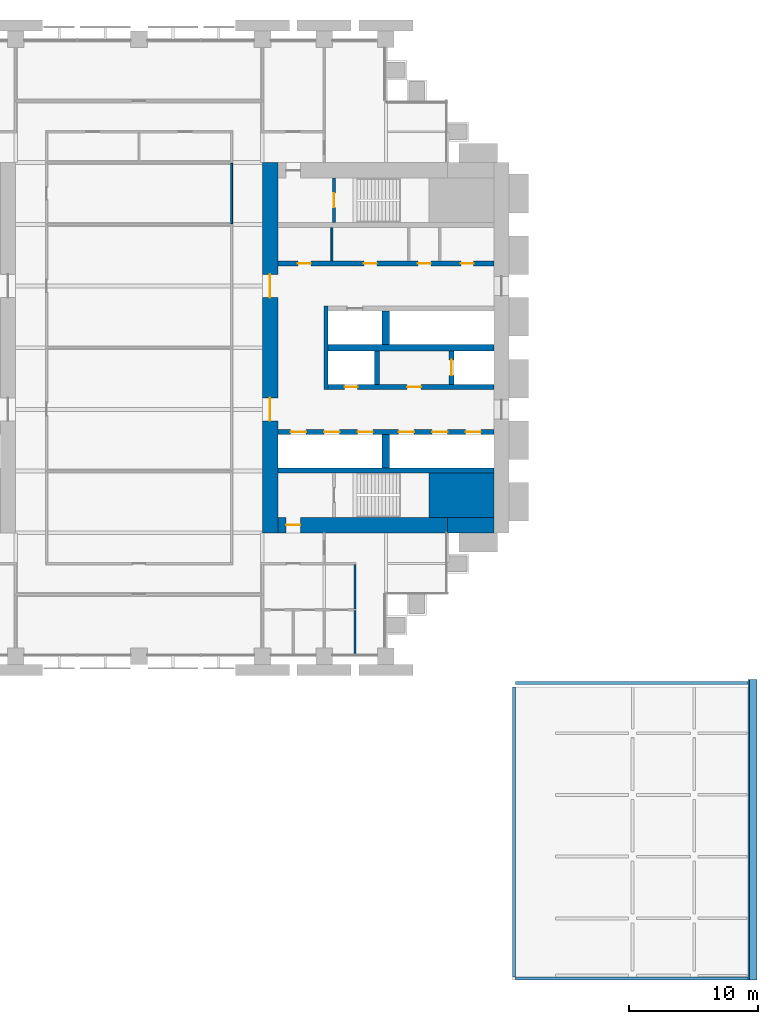
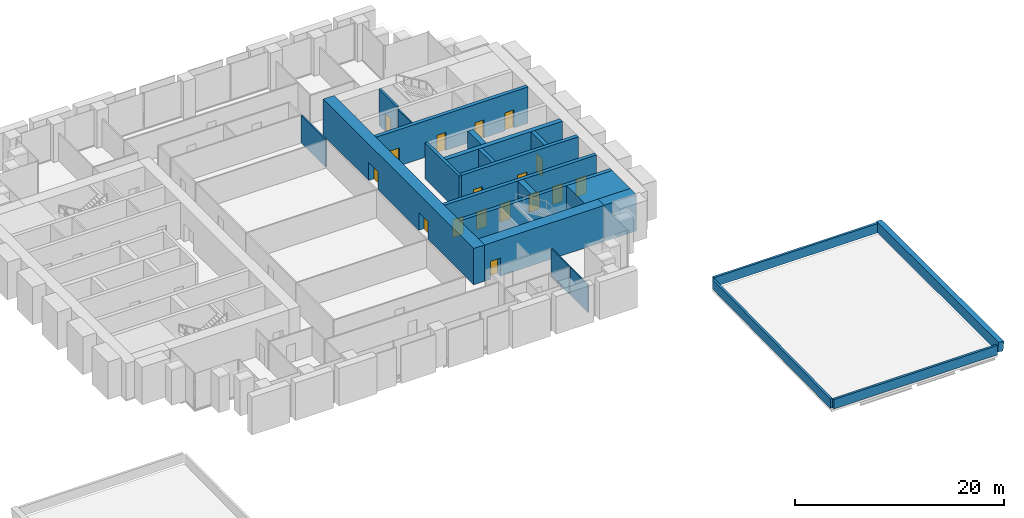
# One storey, part 11 of 14: 23 walls, 17 doors, 17 openings.
"""IFC4 building model written with IfcOpenShell, lengths in metres."""

from ifc_helpers import new_model, si_unit, direction, frame, frame_2d, origin, place, context, subcontext, project, spatial, polyline, rectangle, outline, extrude, material, layer, layer_set, type_object, element, fill, save


model = new_model("IFC4")

# Units and contexts
model_context = context("Model", 3, precision=1e-05, world=origin(), true_north=direction((0.0, 1.0)))
body_context = subcontext(model_context, "Body", "Model", "MODEL_VIEW")
ifc_project = project(units=[si_unit("LENGTHUNIT", "METRE"), si_unit("AREAUNIT", "SQUARE_METRE"), si_unit("VOLUMEUNIT", "CUBIC_METRE"), si_unit("PLANEANGLEUNIT", "RADIAN"), si_unit("MASSUNIT", "GRAM", prefix="KILO")], contexts=[model_context])

# Site, building, storey
site_placement = place(None, origin())
site = spatial("IfcSite", under=ifc_project, at=site_placement, CompositionType="ELEMENT")
building_placement = place(site_placement, origin())
building = spatial("IfcBuilding", under=site, at=building_placement, Name="Baori Bourse Tower", CompositionType="ELEMENT")
storey_placement = place(building_placement, frame((0.0, 0.0, 30.199951171875)))
storey = spatial("IfcBuildingStorey", under=building, at=storey_placement, Name="L05", CompositionType="ELEMENT", Elevation=30.199951171875)

# Walls
ifc_material_1 = material(Name="Concrete f'c 70 MPa", Category="concrete")
wall_type_1 = type_object("IfcWallType", Name="Core corner block f'c 70", PredefinedType="SHEAR", material=ifc_material_1)
wall_1_placement = place(storey_placement, frame((51.35009765625, 12.52490234375, 0.0), z_axis=(0.0, 0.0, 1.0), x_axis=(1.0, 0.0, 0.0)))
element("IfcWall", 1, at=wall_1_placement, inside=storey, type_object=wall_type_1, Name="Core wall E05", PredefinedType="SHEAR", context=body_context, shape_type="SweptSolid", body=[
    extrude(rectangle(XDim=5.0498046875, YDim=3.449951171875, at=frame_2d((2.52490234375, 0.0))), origin(), (0.0, 0.0, 1.0), 4.239990234375),
])
ifc_material_2 = material(Name="Blockwork partition", Category="masonry")
ifc_layer_1 = layer(ifc_material_2, 0.14990234375)
ifc_layer_set_1 = layer_set([ifc_layer_1], Name="Core partition 150")
wall_type_2 = type_object("IfcWallType", Name="Core partition 150", PredefinedType="PARTITIONING", material=ifc_layer_set_1)
wall_2_placement = place(storey_placement, frame((43.800048828125, 30.75, 0.0), z_axis=(0.0, 0.0, 1.0), x_axis=(0.0, 1.0, 0.0)))
element("IfcWall", 2, at=wall_2_placement, inside=storey, type_object=wall_type_2, Name="Partition wall E20", PredefinedType="PARTITIONING", context=body_context, shape_type="SweptSolid", body=[
    extrude(rectangle(XDim=2.60009765625, YDim=0.14990234375, at=frame_2d((1.300048828125, 0.0))), origin(), (0.0, 0.0, 1.0), 4.239990234375),
])
ifc_material_3 = material(Name="Concrete f'c 70 MPa", Category="concrete")
ifc_layer_2 = layer(ifc_material_3, 1.199951171875)
ifc_layer_set_2 = layer_set([ifc_layer_2], Name="Core wall 1200 f'c 70")
wall_type_3 = type_object("IfcWallType", Name="Core wall 1200 f'c 70", PredefinedType="SHEAR", material=ifc_layer_set_2)
wall_3_placement = place(storey_placement, frame((56.39990234375, 10.199951171875, 0.0), z_axis=(0.0, 0.0, 1.0), x_axis=(-1.0, 0.0, 0.0)))
element("IfcWall", 3, at=wall_3_placement, inside=storey, type_object=wall_type_3, Name="Core wall E02", PredefinedType="SHEAR", context=body_context, shape_type="SweptSolid", body=[
    extrude(rectangle(XDim=3.599853515625, YDim=1.199951171875, at=frame_2d((1.7998046875, 0.0))), origin(), (0.0, 0.0, 1.0), 4.239990234375),
])

# Wall, opening, door
wall_4_placement = place(storey_placement, frame((52.800048828125, 10.199951171875, 0.0), z_axis=(0.0, 0.0, 1.0), x_axis=(-1.0, 0.0, 0.0)))
wall_4 = element("IfcWall", 4, at=wall_4_placement, inside=storey, type_object=wall_type_3, Name="Core wall E03", PredefinedType="SHEAR", context=body_context, shape_type="SweptSolid", body=[
    extrude(rectangle(XDim=13.199951171875, YDim=1.199951171875, at=frame_2d((6.60009765625, 0.0))), origin(), (0.0, 0.0, 1.0), 4.239990234375),
])
opening_1_placement = place(wall_4_placement, frame((11.449951171875, 0.0, 0.0)))
opening_1 = element("IfcOpeningElement", 5, at=opening_1_placement, cuts=wall_4, Name="Opening L05-D202", PredefinedType="OPENING", context=body_context, shape_type="SweptSolid", body=[
    extrude(rectangle(XDim=1.10009765625, YDim=2.10009765625, at=frame_2d((0.550048828125, 1.050048828125))), frame((0.0, 0.60986328125, 0.0), z_axis=(0.0, -1.0, 0.0), x_axis=(1.0, 0.0, 0.0)), (0.0, 0.0, 1.0), 1.219970703125),
])
ifc_material_4 = material(Name="Painted steel door", Category="steel")
door_type_1 = type_object("IfcDoorType", Name="Stair door 1100", OperationType="SINGLE_SWING_LEFT", PredefinedType="DOOR", material=ifc_material_4)
door_1_placement = place(opening_1_placement, origin())
door_1 = element("IfcDoor", 6, at=door_1_placement, inside=storey, type_object=door_type_1, Name="Stair vestibule door A E L05", OperationType="SINGLE_SWING_LEFT", OverallHeight=2.10009765625, OverallWidth=1.10009765625, PredefinedType="DOOR", context=body_context, shape_type="SweptSolid", body=[
    extrude(rectangle(XDim=1.10009765625, YDim=2.10009765625, at=frame_2d((0.550048828125, 1.050048828125))), frame((0.0, 0.02490234375, 0.0), z_axis=(0.0, -1.0, 0.0), x_axis=(1.0, 0.0, 0.0)), (0.0, 0.0, 1.0), 0.050048828125),
])
fill(opening_1, door_1)

# Wall, openings, doors
wall_5_placement = place(storey_placement, frame((39.0, 9.60009765625, 0.0), z_axis=(0.0, 0.0, 1.0), x_axis=(0.0, 1.0, 0.0)))
wall_5 = element("IfcWall", 7, at=wall_5_placement, inside=storey, type_object=wall_type_3, Name="Core wall E04", PredefinedType="SHEAR", context=body_context, shape_type="SweptSolid", body=[
    extrude(rectangle(XDim=28.7998046875, YDim=1.199951171875, at=frame_2d((14.39990234375, 0.0))), origin(), (0.0, 0.0, 1.0), 4.239990234375),
])
opening_2_placement = place(wall_5_placement, frame((8.699951171875, 0.0, 0.0)))
opening_2 = element("IfcOpeningElement", 8, at=opening_2_placement, cuts=wall_5, Name="Opening L05-D207", PredefinedType="OPENING", context=body_context, shape_type="SweptSolid", body=[
    extrude(rectangle(XDim=1.800048828125, YDim=2.10009765625, at=frame_2d((0.89990234375, 1.050048828125))), frame((0.0, 0.60986328125, 0.0), z_axis=(0.0, -1.0, 0.0), x_axis=(1.0, 0.0, 0.0)), (0.0, 0.0, 1.0), 1.219970703125),
])
opening_3_placement = place(wall_5_placement, frame((18.300048828125, 0.0, 0.0)))
opening_3 = element("IfcOpeningElement", 9, at=opening_3_placement, cuts=wall_5, Name="Opening L05-D208", PredefinedType="OPENING", context=body_context, shape_type="SweptSolid", body=[
    extrude(rectangle(XDim=1.800048828125, YDim=2.10009765625, at=frame_2d((0.89990234375, 1.050048828125))), frame((0.0, 0.60986328125, 0.0), z_axis=(0.0, -1.0, 0.0), x_axis=(1.0, 0.0, 0.0)), (0.0, 0.0, 1.0), 1.219970703125),
])
ifc_material_5 = material(Name="Painted steel door", Category="steel")
door_type_2 = type_object("IfcDoorType", Name="Core lobby door 1800", OperationType="DOUBLE_DOOR_SINGLE_SWING", PredefinedType="DOOR", material=ifc_material_5)
door_2_placement = place(opening_2_placement, origin())
door_2 = element("IfcDoor", 10, at=door_2_placement, inside=storey, type_object=door_type_2, Name="Lobby door E L05", OperationType="DOUBLE_DOOR_SINGLE_SWING", OverallHeight=2.10009765625, OverallWidth=1.800048828125, PredefinedType="DOOR", context=body_context, shape_type="SweptSolid", body=[
    extrude(rectangle(XDim=1.800048828125, YDim=2.10009765625, at=frame_2d((0.89990234375, 1.050048828125))), frame((0.0, 0.02490234375, 0.0), z_axis=(0.0, -1.0, 0.0), x_axis=(1.0, 0.0, 0.0)), (0.0, 0.0, 1.0), 0.050048828125),
])
fill(opening_2, door_2)
door_3_placement = place(opening_3_placement, origin())
door_3 = element("IfcDoor", 11, at=door_3_placement, inside=storey, type_object=door_type_2, Name="Lobby door E L05", OperationType="DOUBLE_DOOR_SINGLE_SWING", OverallHeight=2.10009765625, OverallWidth=1.800048828125, PredefinedType="DOOR", context=body_context, shape_type="SweptSolid", body=[
    extrude(rectangle(XDim=1.800048828125, YDim=2.10009765625, at=frame_2d((0.89990234375, 1.050048828125))), frame((0.0, 0.02490234375, 0.0), z_axis=(0.0, -1.0, 0.0), x_axis=(1.0, 0.0, 0.0)), (0.0, 0.0, 1.0), 0.050048828125),
])
fill(opening_3, door_3)

# Walls
ifc_material_6 = material(Name="Gypsum board partition")
ifc_layer_3 = layer(ifc_material_6, 0.14990234375)
ifc_layer_set_3 = layer_set([ifc_layer_3], Name="Corridor partition 150")
wall_type_4 = type_object("IfcWallType", Name="Corridor partition 150", PredefinedType="PARTITIONING", material=ifc_layer_set_3)
wall_6_placement = place(storey_placement, frame((36.0, 33.66259765625, 0.0), z_axis=(0.0, 0.0, 1.0), x_axis=(0.0, 1.0, 0.0)))
element("IfcWall", 12, at=wall_6_placement, inside=storey, type_object=wall_type_4, Name="Partition", PredefinedType="PARTITIONING", context=body_context, shape_type="SweptSolid", body=[
    extrude(rectangle(XDim=4.6748046875, YDim=0.14990234375, at=frame_2d((2.33740234375, 0.0))), origin(), (0.0, 0.0, 1.0), 3.24951171875),
])
wall_7_placement = place(storey_placement, frame((45.60009765625, 3.675048828125, 0.0), z_axis=(0.0, 0.0, 1.0), x_axis=(0.0, 1.0, 0.0)))
element("IfcWall", 13, at=wall_7_placement, inside=storey, type_object=wall_type_4, Name="Partition", PredefinedType="PARTITIONING", context=body_context, shape_type="SweptSolid", body=[
    extrude(rectangle(XDim=3.449951171875, YDim=0.14990234375, at=frame_2d((1.72509765625, 0.0))), origin(), (0.0, 0.0, 1.0), 3.24951171875),
])
ifc_material_7 = material(Name="Concrete f'c 50 MPa", Category="concrete")
ifc_layer_4 = layer(ifc_material_7, 0.60009765625)
ifc_layer_set_4 = layer_set([ifc_layer_4], Name="Leaning end wall 600")
wall_type_5 = type_object("IfcWallType", Name="Leaning end wall 600", PredefinedType="SOLIDWALL", material=ifc_layer_set_4)
wall_8_placement = place(storey_placement, frame((76.197265625, -25.199951171875, 0.0), z_axis=(-0.995393636341, 0.0, 0.095872356452), x_axis=(0.0, 1.0, 0.0)))
element("IfcWall", 14, at=wall_8_placement, inside=storey, type_object=wall_type_5, Name="wing/L05/Eleanparapet/001", PredefinedType="SOLIDWALL", context=body_context, shape_type="SweptSolid", body=[
    extrude(outline(polyline([(0.0, 0.0), (23.39990234375, 0.0), (23.39990234375, -1.105188556653595), (0.0, -1.105188556653595), (0.0, 0.0)])), origin(), (0.0, 0.0, -1.0), 0.60009765625),
])
ifc_material_8 = material(Name="Concrete f'c 40 MPa", Category="concrete")
ifc_layer_5 = layer(ifc_material_8, 0.25)
ifc_layer_set_5 = layer_set([ifc_layer_5], Name="Parapet wall 250")
wall_type_6 = type_object("IfcWallType", Name="Parapet wall 250", PredefinedType="SOLIDWALL", material=ifc_layer_set_5)
for number, where, z_axis, x_axis, name in (
    (15, (58.10009765625, -2.10009765625, 0.00390625), (0.0, 0.0, 1.0), (1.0, 0.0, 0.0), "wing/L05/Eparapet/001"),
    (16, (58.10009765625, -25.074951171875, -0.29833984375), (0.0, 0.0, 1.0), (1.0, 0.0, 0.0), "wing/L05/Eparapet/002"),
):
    element("IfcWall", number, at=place(storey_placement, frame(where, z_axis=z_axis, x_axis=x_axis)), inside=storey, type_object=wall_type_6, Name=name, PredefinedType="SOLIDWALL", context=body_context, shape_type="SweptSolid", body=[
        extrude(rectangle(XDim=18.09716796875, YDim=0.25, at=frame_2d((9.048583984375, 0.0))), origin(), (0.0, 0.0, 1.0), 1.10009765625),
    ])
wall_9_placement = place(storey_placement, frame((57.85009765625, -24.949951171875, 0.80322265625), z_axis=(-1.0, 0.0, 0.0), x_axis=(0.0, 0.999913350545, 0.013164019209)))
element("IfcWall", 17, at=wall_9_placement, inside=storey, type_object=wall_type_6, Name="wing/L05/Eparapet/003", PredefinedType="SOLIDWALL", context=body_context, shape_type="SweptSolid", body=[
    extrude(outline(polyline([(0.0, 0.0), (22.552002946888038, -5.551115123125783e-17), (22.537521240209106, 1.100002333387711), (-0.014478492807053682, 1.099758213917363), (0.0, 0.0)])), origin(), (0.0, 0.0, -1.0), 0.25),
])
ifc_material_9 = material(Name="Gypsum board partition")
ifc_layer_6 = layer(ifc_material_9, 0.125)
ifc_layer_set_6 = layer_set([ifc_layer_6], Name="Partition 125")
wall_type_7 = type_object("IfcWallType", Name="Partition 125", PredefinedType="PARTITIONING", material=ifc_layer_set_6)
wall_10_placement = place(storey_placement, frame((45.60009765625, 0.10009765625, 0.0), z_axis=(0.0, 0.0, 1.0), x_axis=(0.0, 1.0, 0.0)))
element("IfcWall", 18, at=wall_10_placement, inside=storey, type_object=wall_type_7, Name="Partition", PredefinedType="PARTITIONING", context=body_context, shape_type="SweptSolid", body=[
    extrude(rectangle(XDim=3.4248046875, YDim=0.125, at=frame_2d((1.71240234375, 0.0))), origin(), (0.0, 0.0, 1.0), 3.24951171875),
])

# Wall, opening, door
ifc_material_10 = material(Name="Concrete f'c 70 MPa", Category="concrete")
ifc_layer_7 = layer(ifc_material_10, 0.25)
ifc_layer_set_7 = layer_set([ifc_layer_7], Name="Shaft wall 250 f'c 70")
wall_type_8 = type_object("IfcWallType", Name="Shaft wall 250 f'c 70", PredefinedType="SHEAR", material=ifc_layer_set_7)
wall_11_placement = place(storey_placement, frame((43.97509765625, 33.75, 0.0), z_axis=(0.0, 0.0, 1.0), x_axis=(0.0, 1.0, 0.0)))
wall_11 = element("IfcWall", 19, at=wall_11_placement, inside=storey, type_object=wall_type_8, Name="Core wall E23", PredefinedType="SHEAR", context=body_context, shape_type="SweptSolid", body=[
    extrude(rectangle(XDim=3.449951171875, YDim=0.25, at=frame_2d((1.72509765625, 0.0))), origin(), (0.0, 0.0, 1.0), 4.239990234375),
])
opening_4_placement = place(wall_11_placement, frame((1.175048828125, 0.0, 0.0)))
opening_4 = element("IfcOpeningElement", 20, at=opening_4_placement, cuts=wall_11, Name="Opening L05-D203", PredefinedType="OPENING", context=body_context, shape_type="SweptSolid", body=[
    extrude(rectangle(XDim=1.10009765625, YDim=2.10009765625, at=frame_2d((0.550048828125, 1.050048828125))), frame((0.0, 0.135009765625, 0.0), z_axis=(0.0, -1.0, 0.0), x_axis=(1.0, 0.0, 0.0)), (0.0, 0.0, 1.0), 0.27001953125),
])
door_4_placement = place(opening_4_placement, origin())
door_4 = element("IfcDoor", 21, at=door_4_placement, inside=storey, type_object=door_type_1, Name="Stair door B E L05", OperationType="SINGLE_SWING_LEFT", OverallHeight=2.10009765625, OverallWidth=1.10009765625, PredefinedType="DOOR", context=body_context, shape_type="SweptSolid", body=[
    extrude(rectangle(XDim=1.10009765625, YDim=2.10009765625, at=frame_2d((0.550048828125, 1.050048828125))), frame((0.0, 0.02490234375, 0.0), z_axis=(0.0, -1.0, 0.0), x_axis=(1.0, 0.0, 0.0)), (0.0, 0.0, 1.0), 0.050048828125),
])
fill(opening_4, door_4)

# Walls
ifc_material_11 = material(Name="Concrete f'c 70 MPa", Category="concrete")
ifc_layer_8 = layer(ifc_material_11, 0.300048828125)
ifc_layer_set_8 = layer_set([ifc_layer_8], Name="Shaft wall 300 f'c 70")
wall_type_9 = type_object("IfcWallType", Name="Shaft wall 300 f'c 70", PredefinedType="SHEAR", material=ifc_layer_set_8)
wall_12_placement = place(storey_placement, frame((43.35009765625, 20.75, 0.0), z_axis=(0.0, 0.0, 1.0), x_axis=(0.0, 1.0, 0.0)))
element("IfcWall", 22, at=wall_12_placement, inside=storey, type_object=wall_type_9, Name="Core wall E11", PredefinedType="SHEAR", context=body_context, shape_type="SweptSolid", body=[
    extrude(rectangle(XDim=6.5, YDim=0.300048828125, at=frame_2d((3.25, 0.0))), origin(), (0.0, 0.0, 1.0), 4.239990234375),
])
ifc_material_12 = material(Name="Concrete f'c 70 MPa", Category="concrete")
ifc_layer_9 = layer(ifc_material_12, 0.39990234375)
ifc_layer_set_9 = layer_set([ifc_layer_9], Name="Shaft wall 400 f'c 70")
wall_type_10 = type_object("IfcWallType", Name="Shaft wall 400 f'c 70", PredefinedType="SHEAR", material=ifc_layer_set_9)
wall_13_placement = place(storey_placement, frame((39.60009765625, 14.449951171875, 0.0), z_axis=(0.0, 0.0, 1.0), x_axis=(1.0, 0.0, 0.0)))
element("IfcWall", 23, at=wall_13_placement, inside=storey, type_object=wall_type_10, Name="Core wall E07", PredefinedType="SHEAR", context=body_context, shape_type="SweptSolid", body=[
    extrude(rectangle(XDim=16.7998046875, YDim=0.39990234375, at=frame_2d((8.39990234375, 0.0))), origin(), (0.0, 0.0, 1.0), 4.239990234375),
])

# Wall, openings, doors
wall_14_placement = place(storey_placement, frame((39.60009765625, 17.449951171875, 0.0), z_axis=(0.0, 0.0, 1.0), x_axis=(1.0, 0.0, 0.0)))
wall_14 = element("IfcWall", 24, at=wall_14_placement, inside=storey, type_object=wall_type_10, Name="Core wall E09", PredefinedType="SHEAR", context=body_context, shape_type="SweptSolid", body=[
    extrude(rectangle(XDim=16.7998046875, YDim=0.39990234375, at=frame_2d((8.39990234375, 0.0))), origin(), (0.0, 0.0, 1.0), 4.239990234375),
])
opening_5_placement = place(wall_14_placement, frame((14.60009765625, 0.0, 0.0)))
opening_5 = element("IfcOpeningElement", 25, at=opening_5_placement, cuts=wall_14, Name="Opening L05-D213", PredefinedType="OPENING", context=body_context, shape_type="SweptSolid", body=[
    extrude(rectangle(XDim=1.199951171875, YDim=2.10009765625, at=frame_2d((0.60009765625, 1.050048828125))), frame((0.0, 0.2099609375, 0.0), z_axis=(0.0, -1.0, 0.0), x_axis=(1.0, 0.0, 0.0)), (0.0, 0.0, 1.0), 0.419921875),
])
opening_6_placement = place(wall_14_placement, frame((12.0, 0.0, 0.0)))
opening_6 = element("IfcOpeningElement", 26, at=opening_6_placement, cuts=wall_14, Name="Opening L05-D214", PredefinedType="OPENING", context=body_context, shape_type="SweptSolid", body=[
    extrude(rectangle(XDim=1.199951171875, YDim=2.10009765625, at=frame_2d((0.60009765625, 1.050048828125))), frame((0.0, 0.2099609375, 0.0), z_axis=(0.0, -1.0, 0.0), x_axis=(1.0, 0.0, 0.0)), (0.0, 0.0, 1.0), 0.419921875),
])
opening_7_placement = place(wall_14_placement, frame((9.39990234375, 0.0, 0.0)))
opening_7 = element("IfcOpeningElement", 27, at=opening_7_placement, cuts=wall_14, Name="Opening L05-D215", PredefinedType="OPENING", context=body_context, shape_type="SweptSolid", body=[
    extrude(rectangle(XDim=1.199951171875, YDim=2.10009765625, at=frame_2d((0.60009765625, 1.050048828125))), frame((0.0, 0.2099609375, 0.0), z_axis=(0.0, -1.0, 0.0), x_axis=(1.0, 0.0, 0.0)), (0.0, 0.0, 1.0), 0.419921875),
])
opening_8_placement = place(wall_14_placement, frame((6.199951171875, 0.0, 0.0)))
opening_8 = element("IfcOpeningElement", 28, at=opening_8_placement, cuts=wall_14, Name="Opening L05-D216", PredefinedType="OPENING", context=body_context, shape_type="SweptSolid", body=[
    extrude(rectangle(XDim=1.199951171875, YDim=2.10009765625, at=frame_2d((0.60009765625, 1.050048828125))), frame((0.0, 0.2099609375, 0.0), z_axis=(0.0, -1.0, 0.0), x_axis=(1.0, 0.0, 0.0)), (0.0, 0.0, 1.0), 0.419921875),
])
opening_9_placement = place(wall_14_placement, frame((3.60009765625, 0.0, 0.0)))
opening_9 = element("IfcOpeningElement", 29, at=opening_9_placement, cuts=wall_14, Name="Opening L05-D217", PredefinedType="OPENING", context=body_context, shape_type="SweptSolid", body=[
    extrude(rectangle(XDim=1.199951171875, YDim=2.10009765625, at=frame_2d((0.60009765625, 1.050048828125))), frame((0.0, 0.2099609375, 0.0), z_axis=(0.0, -1.0, 0.0), x_axis=(1.0, 0.0, 0.0)), (0.0, 0.0, 1.0), 0.419921875),
])
opening_10_placement = place(wall_14_placement, frame((1.0, 0.0, 0.0)))
opening_10 = element("IfcOpeningElement", 30, at=opening_10_placement, cuts=wall_14, Name="Opening L05-D218", PredefinedType="OPENING", context=body_context, shape_type="SweptSolid", body=[
    extrude(rectangle(XDim=1.199951171875, YDim=2.10009765625, at=frame_2d((0.60009765625, 1.050048828125))), frame((0.0, 0.2099609375, 0.0), z_axis=(0.0, -1.0, 0.0), x_axis=(1.0, 0.0, 0.0)), (0.0, 0.0, 1.0), 0.419921875),
])
ifc_material_13 = material(Name="Stainless steel door", Category="steel")
door_type_3 = type_object("IfcDoorType", Name="Lift landing door", OperationType="DOUBLE_DOOR_SLIDING", PredefinedType="DOOR", material=ifc_material_13)
door_5_placement = place(opening_5_placement, origin())
door_5 = element("IfcDoor", 31, at=door_5_placement, inside=storey, type_object=door_type_3, Name="Lift landing door LR1 E L05", OperationType="DOUBLE_DOOR_SLIDING", OverallHeight=2.10009765625, OverallWidth=1.199951171875, PredefinedType="DOOR", context=body_context, shape_type="SweptSolid", body=[
    extrude(rectangle(XDim=1.199951171875, YDim=2.10009765625, at=frame_2d((0.60009765625, 1.050048828125))), frame((0.0, 0.02490234375, 0.0), z_axis=(0.0, -1.0, 0.0), x_axis=(1.0, 0.0, 0.0)), (0.0, 0.0, 1.0), 0.050048828125),
])
fill(opening_5, door_5)
door_6_placement = place(opening_6_placement, origin())
door_6 = element("IfcDoor", 32, at=door_6_placement, inside=storey, type_object=door_type_3, Name="Lift landing door LR2 E L05", OperationType="DOUBLE_DOOR_SLIDING", OverallHeight=2.10009765625, OverallWidth=1.199951171875, PredefinedType="DOOR", context=body_context, shape_type="SweptSolid", body=[
    extrude(rectangle(XDim=1.199951171875, YDim=2.10009765625, at=frame_2d((0.60009765625, 1.050048828125))), frame((0.0, 0.02490234375, 0.0), z_axis=(0.0, -1.0, 0.0), x_axis=(1.0, 0.0, 0.0)), (0.0, 0.0, 1.0), 0.050048828125),
])
fill(opening_6, door_6)
door_7_placement = place(opening_7_placement, origin())
door_7 = element("IfcDoor", 33, at=door_7_placement, inside=storey, type_object=door_type_3, Name="Lift landing door LR3 E L05", OperationType="DOUBLE_DOOR_SLIDING", OverallHeight=2.10009765625, OverallWidth=1.199951171875, PredefinedType="DOOR", context=body_context, shape_type="SweptSolid", body=[
    extrude(rectangle(XDim=1.199951171875, YDim=2.10009765625, at=frame_2d((0.60009765625, 1.050048828125))), frame((0.0, 0.02490234375, 0.0), z_axis=(0.0, -1.0, 0.0), x_axis=(1.0, 0.0, 0.0)), (0.0, 0.0, 1.0), 0.050048828125),
])
fill(opening_7, door_7)
door_8_placement = place(opening_8_placement, origin())
door_8 = element("IfcDoor", 34, at=door_8_placement, inside=storey, type_object=door_type_3, Name="Lift landing door LR4 E L05", OperationType="DOUBLE_DOOR_SLIDING", OverallHeight=2.10009765625, OverallWidth=1.199951171875, PredefinedType="DOOR", context=body_context, shape_type="SweptSolid", body=[
    extrude(rectangle(XDim=1.199951171875, YDim=2.10009765625, at=frame_2d((0.60009765625, 1.050048828125))), frame((0.0, 0.02490234375, 0.0), z_axis=(0.0, -1.0, 0.0), x_axis=(1.0, 0.0, 0.0)), (0.0, 0.0, 1.0), 0.050048828125),
])
fill(opening_8, door_8)
door_9_placement = place(opening_9_placement, origin())
door_9 = element("IfcDoor", 35, at=door_9_placement, inside=storey, type_object=door_type_3, Name="Lift landing door LR5 E L05", OperationType="DOUBLE_DOOR_SLIDING", OverallHeight=2.10009765625, OverallWidth=1.199951171875, PredefinedType="DOOR", context=body_context, shape_type="SweptSolid", body=[
    extrude(rectangle(XDim=1.199951171875, YDim=2.10009765625, at=frame_2d((0.60009765625, 1.050048828125))), frame((0.0, 0.02490234375, 0.0), z_axis=(0.0, -1.0, 0.0), x_axis=(1.0, 0.0, 0.0)), (0.0, 0.0, 1.0), 0.050048828125),
])
fill(opening_9, door_9)
door_10_placement = place(opening_10_placement, origin())
door_10 = element("IfcDoor", 36, at=door_10_placement, inside=storey, type_object=door_type_3, Name="Lift landing door LR6 E L05", OperationType="DOUBLE_DOOR_SLIDING", OverallHeight=2.10009765625, OverallWidth=1.199951171875, PredefinedType="DOOR", context=body_context, shape_type="SweptSolid", body=[
    extrude(rectangle(XDim=1.199951171875, YDim=2.10009765625, at=frame_2d((0.60009765625, 1.050048828125))), frame((0.0, 0.02490234375, 0.0), z_axis=(0.0, -1.0, 0.0), x_axis=(1.0, 0.0, 0.0)), (0.0, 0.0, 1.0), 0.050048828125),
])
fill(opening_10, door_10)

wall_15_placement = place(storey_placement, frame((43.5, 20.949951171875, 0.0), z_axis=(0.0, 0.0, 1.0), x_axis=(1.0, 0.0, 0.0)))
wall_15 = element("IfcWall", 37, at=wall_15_placement, inside=storey, type_object=wall_type_10, Name="Core wall E10", PredefinedType="SHEAR", context=body_context, shape_type="SweptSolid", body=[
    extrude(rectangle(XDim=12.89990234375, YDim=0.39990234375, at=frame_2d((6.449951171875, 0.0))), origin(), (0.0, 0.0, 1.0), 4.239990234375),
])
opening_11_placement = place(wall_15_placement, frame((6.14990234375, 0.0, 0.0)))
opening_11 = element("IfcOpeningElement", 38, at=opening_11_placement, cuts=wall_15, Name="Opening L05-D205", PredefinedType="OPENING", context=body_context, shape_type="SweptSolid", body=[
    extrude(rectangle(XDim=1.10009765625, YDim=2.10009765625, at=frame_2d((0.550048828125, 1.050048828125))), frame((0.0, 0.2099609375, 0.0), z_axis=(0.0, -1.0, 0.0), x_axis=(1.0, 0.0, 0.0)), (0.0, 0.0, 1.0), 0.419921875),
])
opening_12_placement = place(wall_15_placement, frame((1.300048828125, 0.0, 0.0)))
opening_12 = element("IfcOpeningElement", 39, at=opening_12_placement, cuts=wall_15, Name="Opening L05-D206", PredefinedType="OPENING", context=body_context, shape_type="SweptSolid", body=[
    extrude(rectangle(XDim=1.0, YDim=2.10009765625, at=frame_2d((0.5, 1.050048828125))), frame((0.0, 0.2099609375, 0.0), z_axis=(0.0, -1.0, 0.0), x_axis=(1.0, 0.0, 0.0)), (0.0, 0.0, 1.0), 0.419921875),
])
ifc_material_14 = material(Name="Painted steel door", Category="steel")
door_type_4 = type_object("IfcDoorType", Name="Lobby door 1100", OperationType="SINGLE_SWING_LEFT", PredefinedType="DOOR", material=ifc_material_14)
door_11_placement = place(opening_11_placement, origin())
door_11 = element("IfcDoor", 40, at=door_11_placement, inside=storey, type_object=door_type_4, Name="Firefighting lobby door E L05", OperationType="SINGLE_SWING_LEFT", OverallHeight=2.10009765625, OverallWidth=1.10009765625, PredefinedType="DOOR", context=body_context, shape_type="SweptSolid", body=[
    extrude(rectangle(XDim=1.10009765625, YDim=2.10009765625, at=frame_2d((0.550048828125, 1.050048828125))), frame((0.0, 0.02490234375, 0.0), z_axis=(0.0, -1.0, 0.0), x_axis=(1.0, 0.0, 0.0)), (0.0, 0.0, 1.0), 0.050048828125),
])
fill(opening_11, door_11)
ifc_material_15 = material(Name="Painted steel door", Category="steel")
door_type_5 = type_object("IfcDoorType", Name="Shaft door 1000", OperationType="SINGLE_SWING_LEFT", PredefinedType="DOOR", material=ifc_material_15)
door_12_placement = place(opening_12_placement, origin())
door_12 = element("IfcDoor", 41, at=door_12_placement, inside=storey, type_object=door_type_5, Name="Riser room door E L05", OperationType="SINGLE_SWING_LEFT", OverallHeight=2.10009765625, OverallWidth=1.0, PredefinedType="DOOR", context=body_context, shape_type="SweptSolid", body=[
    extrude(rectangle(XDim=1.0, YDim=2.10009765625, at=frame_2d((0.5, 1.050048828125))), frame((0.0, 0.02490234375, 0.0), z_axis=(0.0, -1.0, 0.0), x_axis=(1.0, 0.0, 0.0)), (0.0, 0.0, 1.0), 0.050048828125),
])
fill(opening_12, door_12)

# Wall, opening, door
wall_16_placement = place(storey_placement, frame((53.10009765625, 21.14990234375, 0.0), z_axis=(0.0, 0.0, 1.0), x_axis=(0.0, 1.0, 0.0)))
wall_16 = element("IfcWall", 42, at=wall_16_placement, inside=storey, type_object=wall_type_10, Name="Core wall E12", PredefinedType="SHEAR", context=body_context, shape_type="SweptSolid", body=[
    extrude(rectangle(XDim=2.60009765625, YDim=0.39990234375, at=frame_2d((1.300048828125, 0.0))), origin(), (0.0, 0.0, 1.0), 4.239990234375),
])
opening_13_placement = place(wall_16_placement, frame((0.699951171875, 0.0, 0.0)))
opening_13 = element("IfcOpeningElement", 43, at=opening_13_placement, cuts=wall_16, Name="Opening L05-D220", PredefinedType="OPENING", context=body_context, shape_type="SweptSolid", body=[
    extrude(rectangle(XDim=1.199951171875, YDim=2.10009765625, at=frame_2d((0.60009765625, 1.050048828125))), frame((0.0, 0.2099609375, 0.0), z_axis=(0.0, -1.0, 0.0), x_axis=(1.0, 0.0, 0.0)), (0.0, 0.0, 1.0), 0.419921875),
])
door_13_placement = place(opening_13_placement, origin())
door_13 = element("IfcDoor", 44, at=door_13_placement, inside=storey, type_object=door_type_3, Name="Lift landing door FF2 E L05", OperationType="DOUBLE_DOOR_SLIDING", OverallHeight=2.10009765625, OverallWidth=1.199951171875, PredefinedType="DOOR", context=body_context, shape_type="SweptSolid", body=[
    extrude(rectangle(XDim=1.199951171875, YDim=2.10009765625, at=frame_2d((0.60009765625, 1.050048828125))), frame((0.0, 0.02490234375, 0.0), z_axis=(0.0, -1.0, 0.0), x_axis=(1.0, 0.0, 0.0)), (0.0, 0.0, 1.0), 0.050048828125),
])
fill(opening_13, door_13)

# Wall
wall_17_placement = place(storey_placement, frame((47.300048828125, 21.14990234375, 0.0), z_axis=(0.0, 0.0, 1.0), x_axis=(0.0, 1.0, 0.0)))
element("IfcWall", 45, at=wall_17_placement, inside=storey, type_object=wall_type_10, Name="Core wall E13", PredefinedType="SHEAR", context=body_context, shape_type="SweptSolid", body=[
    extrude(rectangle(XDim=2.60009765625, YDim=0.39990234375, at=frame_2d((1.300048828125, 0.0))), origin(), (0.0, 0.0, 1.0), 4.239990234375),
])

# Wall, openings, doors
wall_18_placement = place(storey_placement, frame((39.60009765625, 30.550048828125, 0.0), z_axis=(0.0, 0.0, 1.0), x_axis=(1.0, 0.0, 0.0)))
wall_18 = element("IfcWall", 46, at=wall_18_placement, inside=storey, type_object=wall_type_10, Name="Core wall E17", PredefinedType="SHEAR", context=body_context, shape_type="SweptSolid", body=[
    extrude(rectangle(XDim=16.7998046875, YDim=0.39990234375, at=frame_2d((8.39990234375, 0.0))), origin(), (0.0, 0.0, 1.0), 4.239990234375),
])
opening_14_placement = place(wall_18_placement, frame((14.237548828125, 0.0, 0.0)))
opening_14 = element("IfcOpeningElement", 47, at=opening_14_placement, cuts=wall_18, Name="Opening L05-D209", PredefinedType="OPENING", context=body_context, shape_type="SweptSolid", body=[
    extrude(rectangle(XDim=1.0, YDim=2.10009765625, at=frame_2d((0.5, 1.050048828125))), frame((0.0, 0.2099609375, 0.0), z_axis=(0.0, -1.0, 0.0), x_axis=(1.0, 0.0, 0.0)), (0.0, 0.0, 1.0), 0.419921875),
])
opening_15_placement = place(wall_18_placement, frame((10.89990234375, 0.0, 0.0)))
opening_15 = element("IfcOpeningElement", 48, at=opening_15_placement, cuts=wall_18, Name="Opening L05-D210", PredefinedType="OPENING", context=body_context, shape_type="SweptSolid", body=[
    extrude(rectangle(XDim=1.0, YDim=2.10009765625, at=frame_2d((0.5, 1.050048828125))), frame((0.0, 0.2099609375, 0.0), z_axis=(0.0, -1.0, 0.0), x_axis=(1.0, 0.0, 0.0)), (0.0, 0.0, 1.0), 0.419921875),
])
opening_16_placement = place(wall_18_placement, frame((6.699951171875, 0.0, 0.0)))
opening_16 = element("IfcOpeningElement", 49, at=opening_16_placement, cuts=wall_18, Name="Opening L05-D211", PredefinedType="OPENING", context=body_context, shape_type="SweptSolid", body=[
    extrude(rectangle(XDim=1.0, YDim=2.10009765625, at=frame_2d((0.5, 1.050048828125))), frame((0.0, 0.2099609375, 0.0), z_axis=(0.0, -1.0, 0.0), x_axis=(1.0, 0.0, 0.0)), (0.0, 0.0, 1.0), 0.419921875),
])
opening_17_placement = place(wall_18_placement, frame((1.5625, 0.0, 0.0)))
opening_17 = element("IfcOpeningElement", 50, at=opening_17_placement, cuts=wall_18, Name="Opening L05-D212", PredefinedType="OPENING", context=body_context, shape_type="SweptSolid", body=[
    extrude(rectangle(XDim=1.0, YDim=2.10009765625, at=frame_2d((0.5, 1.050048828125))), frame((0.0, 0.2099609375, 0.0), z_axis=(0.0, -1.0, 0.0), x_axis=(1.0, 0.0, 0.0)), (0.0, 0.0, 1.0), 0.419921875),
])
ifc_material_16 = material(Name="Painted steel door", Category="steel")
door_type_6 = type_object("IfcDoorType", Name="Core door 1000", OperationType="SINGLE_SWING_LEFT", PredefinedType="DOOR", material=ifc_material_16)
door_14_placement = place(opening_14_placement, origin())
door_14 = element("IfcDoor", 51, at=door_14_placement, inside=storey, type_object=door_type_6, Name="Women'S Wc door E L05", OperationType="SINGLE_SWING_LEFT", OverallHeight=2.10009765625, OverallWidth=1.0, PredefinedType="DOOR", context=body_context, shape_type="SweptSolid", body=[
    extrude(rectangle(XDim=1.0, YDim=2.10009765625, at=frame_2d((0.5, 1.050048828125))), frame((0.0, 0.02490234375, 0.0), z_axis=(0.0, -1.0, 0.0), x_axis=(1.0, 0.0, 0.0)), (0.0, 0.0, 1.0), 0.050048828125),
])
fill(opening_14, door_14)
door_15_placement = place(opening_15_placement, origin())
door_15 = element("IfcDoor", 52, at=door_15_placement, inside=storey, type_object=door_type_6, Name="Pantry door E L05", OperationType="SINGLE_SWING_LEFT", OverallHeight=2.10009765625, OverallWidth=1.0, PredefinedType="DOOR", context=body_context, shape_type="SweptSolid", body=[
    extrude(rectangle(XDim=1.0, YDim=2.10009765625, at=frame_2d((0.5, 1.050048828125))), frame((0.0, 0.02490234375, 0.0), z_axis=(0.0, -1.0, 0.0), x_axis=(1.0, 0.0, 0.0)), (0.0, 0.0, 1.0), 0.050048828125),
])
fill(opening_15, door_15)
door_16_placement = place(opening_16_placement, origin())
door_16 = element("IfcDoor", 53, at=door_16_placement, inside=storey, type_object=door_type_6, Name="Men'S Wc door E L05", OperationType="SINGLE_SWING_LEFT", OverallHeight=2.10009765625, OverallWidth=1.0, PredefinedType="DOOR", context=body_context, shape_type="SweptSolid", body=[
    extrude(rectangle(XDim=1.0, YDim=2.10009765625, at=frame_2d((0.5, 1.050048828125))), frame((0.0, 0.02490234375, 0.0), z_axis=(0.0, -1.0, 0.0), x_axis=(1.0, 0.0, 0.0)), (0.0, 0.0, 1.0), 0.050048828125),
])
fill(opening_16, door_16)
door_17_placement = place(opening_17_placement, origin())
door_17 = element("IfcDoor", 54, at=door_17_placement, inside=storey, type_object=door_type_6, Name="Accessible Wc door E L05", OperationType="SINGLE_SWING_LEFT", OverallHeight=2.10009765625, OverallWidth=1.0, PredefinedType="DOOR", context=body_context, shape_type="SweptSolid", body=[
    extrude(rectangle(XDim=1.0, YDim=2.10009765625, at=frame_2d((0.5, 1.050048828125))), frame((0.0, 0.02490234375, 0.0), z_axis=(0.0, -1.0, 0.0), x_axis=(1.0, 0.0, 0.0)), (0.0, 0.0, 1.0), 0.050048828125),
])
fill(opening_17, door_17)

# Walls
ifc_material_17 = material(Name="Concrete f'c 70 MPa", Category="concrete")
ifc_layer_10 = layer(ifc_material_17, 0.5)
ifc_layer_set_10 = layer_set([ifc_layer_10], Name="Shaft wall 500 f'c 70")
wall_type_11 = type_object("IfcWallType", Name="Shaft wall 500 f'c 70", PredefinedType="SHEAR", material=ifc_layer_set_10)
wall_19_placement = place(storey_placement, frame((43.5, 24.0, 0.0), z_axis=(0.0, 0.0, 1.0), x_axis=(1.0, 0.0, 0.0)))
element("IfcWall", 55, at=wall_19_placement, inside=storey, type_object=wall_type_11, Name="Core wall E14", PredefinedType="SHEAR", context=body_context, shape_type="SweptSolid", body=[
    extrude(rectangle(XDim=12.89990234375, YDim=0.5, at=frame_2d((6.449951171875, 0.0))), origin(), (0.0, 0.0, 1.0), 4.239990234375),
])
ifc_material_18 = material(Name="Concrete f'c 70 MPa", Category="concrete")
ifc_layer_11 = layer(ifc_material_18, 0.60009765625)
ifc_layer_set_11 = layer_set([ifc_layer_11], Name="Shaft wall 600 f'c 70")
wall_type_12 = type_object("IfcWallType", Name="Shaft wall 600 f'c 70", PredefinedType="SHEAR", material=ifc_layer_set_11)
for number, where, z_axis, x_axis, name in (
    (56, (48.0, 14.64990234375, 0.0), (0.0, 0.0, 1.0), (0.0, 1.0, 0.0), "Core wall E08"),
    (57, (48.0, 24.25, 0.0), (0.0, 0.0, 1.0), (0.0, 1.0, 0.0), "Core wall E15"),
):
    element("IfcWall", number, at=place(storey_placement, frame(where, z_axis=z_axis, x_axis=x_axis)), inside=storey, type_object=wall_type_12, Name=name, PredefinedType="SHEAR", context=body_context, shape_type="SweptSolid", body=[
        extrude(rectangle(XDim=2.60009765625, YDim=0.60009765625, at=frame_2d((1.300048828125, 0.0))), origin(), (0.0, 0.0, 1.0), 4.239990234375),
    ])

save(model, "model.ifc")
